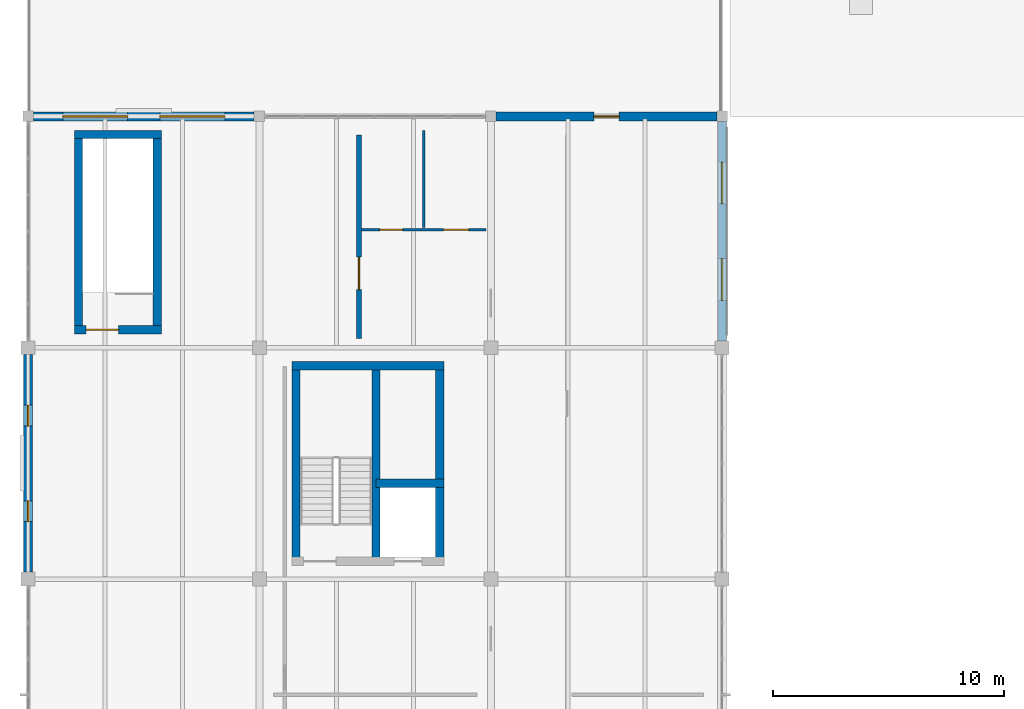
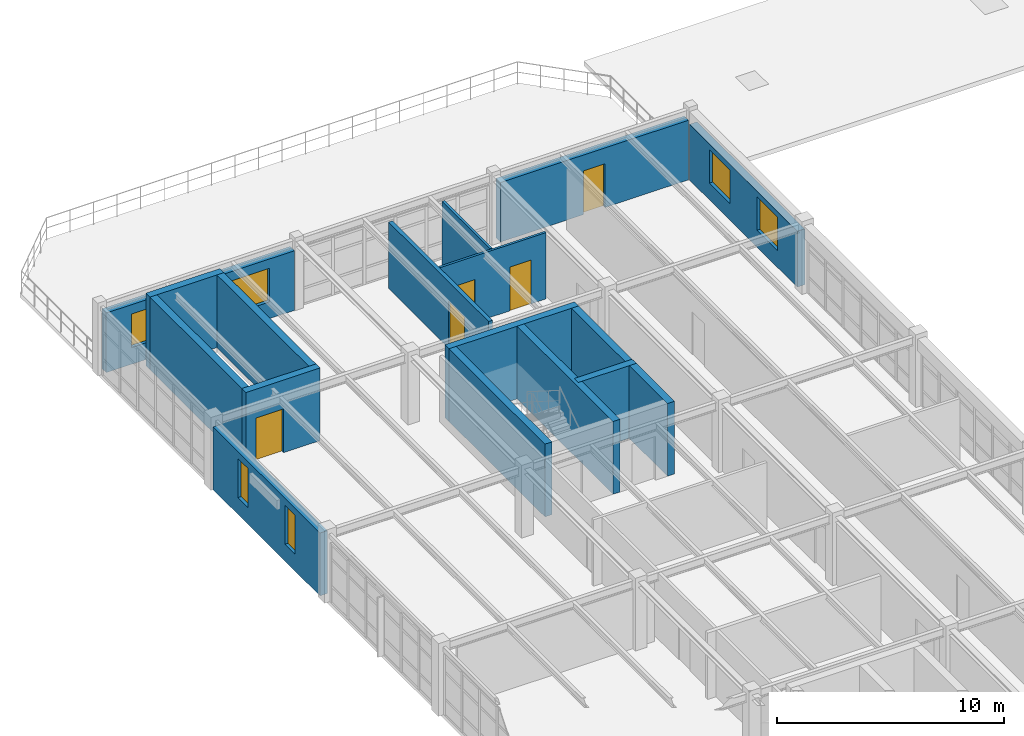
# One storey, part 20 of 23: 16 walls, 6 windows, 5 doors, 11 openings.
"""IFC4 building model written with IfcOpenShell, lengths in metres."""

from ifc_helpers import new_model, si_unit, direction, frame, frame_2d, origin, place, context, subcontext, project, spatial, rectangle, extrude, material, layer, layer_set, type_object, element, fill, save


model = new_model("IFC4")

# Units and contexts
model_context = context("Model", 3, precision=1e-05, world=origin(), true_north=direction((0.0, 1.0)))
body_context = subcontext(model_context, "Body", "Model", "MODEL_VIEW")
ifc_project = project(units=[si_unit("LENGTHUNIT", "METRE"), si_unit("AREAUNIT", "SQUARE_METRE"), si_unit("VOLUMEUNIT", "CUBIC_METRE"), si_unit("PLANEANGLEUNIT", "RADIAN"), si_unit("MASSUNIT", "GRAM", prefix="KILO"), si_unit("THERMODYNAMICTEMPERATUREUNIT", "KELVIN"), si_unit("POWERUNIT", "WATT")], contexts=[model_context])

# Site, building, storey
site_placement = place(None, origin())
site = spatial("IfcSite", under=ifc_project, at=site_placement, CompositionType="ELEMENT")
building_placement = place(site_placement, origin())
building = spatial("IfcBuilding", under=site, at=building_placement, Name="Korenveer Ferry Terminal", CompositionType="ELEMENT")
storey_placement = place(building_placement, frame((0.0, 0.0, 14.39990234375)))
storey = spatial("IfcBuildingStorey", under=building, at=storey_placement, Name="L03", CompositionType="ELEMENT", Elevation=14.39990234375)

# Wall, openings, windows
ifc_material_1 = material(Name="Insulated clinker brick masonry", Category="masonry")
ifc_layer_1 = layer(ifc_material_1, 0.3798828125)
ifc_layer_set_1 = layer_set([ifc_layer_1], Name="Insulated clinker brick masonry")
wall_type_1 = type_object("IfcWallType", Name="ENV-WL-BRK380", PredefinedType="SOLIDWALL", material=ifc_layer_set_1)
wall_1_placement = place(storey_placement, frame((0.22509765625, 70.0, 0.0), z_axis=(0.0, 0.0, 1.0), x_axis=(1.0, 0.0, 0.0)))
wall_1 = element("IfcWall", 1, at=wall_1_placement, inside=storey, type_object=wall_type_1, Name="Exterior facade wall EWL-L03-068", PredefinedType="SOLIDWALL", context=body_context, shape_type="SweptSolid", body=[
    extrude(rectangle(XDim=9.5498046875, YDim=0.3798828125, at=frame_2d((4.77490234375, 0.0))), origin(), (0.0, 0.0, 1.0), 3.2001953125),
])
opening_1_placement = place(wall_1_placement, frame((1.27392578125, 0.0, 0.89990234375)))
opening_1 = element("IfcOpeningElement", 2, at=opening_1_placement, cuts=wall_1, Name="Opening WN-35", PredefinedType="OPENING", context=body_context, shape_type="SweptSolid", body=[
    extrude(rectangle(XDim=2.800048828125, YDim=1.800048828125, at=frame_2d((1.39990234375, 0.89990234375))), frame((0.0, 0.199951171875, 0.0), z_axis=(0.0, -1.0, 0.0), x_axis=(1.0, 0.0, 0.0)), (0.0, 0.0, 1.0), 0.39990234375),
])
opening_2_placement = place(wall_1_placement, frame((5.47607421875, 0.0, 0.89990234375)))
opening_2 = element("IfcOpeningElement", 3, at=opening_2_placement, cuts=wall_1, Name="Opening WN-35", PredefinedType="OPENING", context=body_context, shape_type="SweptSolid", body=[
    extrude(rectangle(XDim=2.800048828125, YDim=1.800048828125, at=frame_2d((1.39990234375, 0.89990234375))), frame((0.0, 0.199951171875, 0.0), z_axis=(0.0, -1.0, 0.0), x_axis=(1.0, 0.0, 0.0)), (0.0, 0.0, 1.0), 0.39990234375),
])
ifc_material_2 = material(Name="Low-iron triple glazing in bronze frame", Category="glass")
window_type_1 = type_object("IfcWindowType", Name="ENV-WN-35", PartitioningType="SINGLE_PANEL", PredefinedType="WINDOW", material=ifc_material_2)
window_1_placement = place(opening_1_placement, origin())
window_1 = element("IfcWindow", 4, at=window_1_placement, inside=storey, type_object=window_type_1, Name="Lancet facade window 83", OverallHeight=1.800048828125, OverallWidth=2.800048828125, PartitioningType="SINGLE_PANEL", PredefinedType="WINDOW", context=body_context, shape_type="SweptSolid", body=[
    extrude(rectangle(XDim=2.800048828125, YDim=1.800048828125, at=frame_2d((1.39990234375, 0.89990234375))), frame((0.0, 0.030029296875, 0.0), z_axis=(0.0, -1.0, 0.0), x_axis=(1.0, 0.0, 0.0)), (0.0, 0.0, 1.0), 0.06005859375),
])
fill(opening_1, window_1)
window_2_placement = place(opening_2_placement, origin())
window_2 = element("IfcWindow", 5, at=window_2_placement, inside=storey, type_object=window_type_1, Name="Lancet facade window 84", OverallHeight=1.800048828125, OverallWidth=2.800048828125, PartitioningType="SINGLE_PANEL", PredefinedType="WINDOW", context=body_context, shape_type="SweptSolid", body=[
    extrude(rectangle(XDim=2.800048828125, YDim=1.800048828125, at=frame_2d((1.39990234375, 0.89990234375))), frame((0.0, 0.030029296875, 0.0), z_axis=(0.0, -1.0, 0.0), x_axis=(1.0, 0.0, 0.0)), (0.0, 0.0, 1.0), 0.06005859375),
])
fill(opening_2, window_2)

# Wall, opening, door
wall_2_placement = place(storey_placement, frame((20.22509765625, 70.0, 0.0), z_axis=(0.0, 0.0, 1.0), x_axis=(1.0, 0.0, 0.0)))
wall_2 = element("IfcWall", 6, at=wall_2_placement, inside=storey, type_object=wall_type_1, Name="Exterior facade wall EWL-L03-069", PredefinedType="SOLIDWALL", context=body_context, shape_type="SweptSolid", body=[
    extrude(rectangle(XDim=9.5498046875, YDim=0.3798828125, at=frame_2d((4.77490234375, 0.0))), origin(), (0.0, 0.0, 1.0), 3.2001953125),
])
opening_3_placement = place(wall_2_placement, frame((4.22509765625, 0.0, 0.0)))
opening_3 = element("IfcOpeningElement", 7, at=opening_3_placement, cuts=wall_2, Name="Opening TD-301", PredefinedType="OPENING", context=body_context, shape_type="SweptSolid", body=[
    extrude(rectangle(XDim=1.10009765625, YDim=2.35009765625, at=frame_2d((0.550048828125, 1.175048828125))), frame((0.0, 0.199951171875, 0.0), z_axis=(0.0, -1.0, 0.0), x_axis=(1.0, 0.0, 0.0)), (0.0, 0.0, 1.0), 0.39990234375),
])
ifc_material_3 = material(Name="Thermally broken bronze glazed door", Category="aluminium")
door_type_1 = type_object("IfcDoorType", Name="ENV-DR-TERR110", OperationType="NOTDEFINED", PredefinedType="DOOR", material=ifc_material_3)
door_1_placement = place(opening_3_placement, origin())
door_1 = element("IfcDoor", 8, at=door_1_placement, inside=storey, type_object=door_type_1, Name="Harbour Operations Viewing Deck Door TD-301", OperationType="SINGLE_SWING_LEFT", OverallHeight=2.35009765625, OverallWidth=1.10009765625, PredefinedType="DOOR", context=body_context, shape_type="SweptSolid", body=[
    extrude(rectangle(XDim=1.10009765625, YDim=2.35009765625, at=frame_2d((0.550048828125, 1.175048828125))), frame((0.0, 0.02490234375, 0.0), z_axis=(0.0, -1.0, 0.0), x_axis=(1.0, 0.0, 0.0)), (0.0, 0.0, 1.0), 0.050048828125),
])
fill(opening_3, door_1)

# Wall, openings, windows
wall_3_placement = place(storey_placement, frame((0.0, 50.300048828125, 0.0), z_axis=(0.0, 0.0, 1.0), x_axis=(0.0, 1.0, 0.0)))
wall_3 = element("IfcWall", 9, at=wall_3_placement, inside=storey, type_object=wall_type_1, Name="Exterior facade wall EWL-L03-071", PredefinedType="SOLIDWALL", context=body_context, shape_type="SweptSolid", body=[
    extrude(rectangle(XDim=9.39990234375, YDim=0.3798828125, at=frame_2d((4.699951171875, 0.0))), origin(), (0.0, 0.0, 1.0), 3.3701171875),
])
opening_4_placement = place(wall_3_placement, frame((2.181884765625, 0.0, 0.89990234375)))
opening_4 = element("IfcOpeningElement", 10, at=opening_4_placement, cuts=wall_3, Name="Opening WN-03", PredefinedType="OPENING", context=body_context, shape_type="SweptSolid", body=[
    extrude(rectangle(XDim=0.89990234375, YDim=2.10009765625, at=frame_2d((0.449951171875, 1.050048828125))), frame((0.0, 0.199951171875, 0.0), z_axis=(0.0, -1.0, 0.0), x_axis=(1.0, 0.0, 0.0)), (0.0, 0.0, 1.0), 0.39990234375),
])
opening_5_placement = place(wall_3_placement, frame((6.318115234375, 0.0, 0.89990234375)))
opening_5 = element("IfcOpeningElement", 11, at=opening_5_placement, cuts=wall_3, Name="Opening WN-03", PredefinedType="OPENING", context=body_context, shape_type="SweptSolid", body=[
    extrude(rectangle(XDim=0.89990234375, YDim=2.10009765625, at=frame_2d((0.449951171875, 1.050048828125))), frame((0.0, 0.199951171875, 0.0), z_axis=(0.0, -1.0, 0.0), x_axis=(1.0, 0.0, 0.0)), (0.0, 0.0, 1.0), 0.39990234375),
])
window_type_2 = type_object("IfcWindowType", Name="ENV-WN-03", PartitioningType="SINGLE_PANEL", PredefinedType="WINDOW", material=ifc_material_2)
window_3_placement = place(opening_4_placement, origin())
window_3 = element("IfcWindow", 12, at=window_3_placement, inside=storey, type_object=window_type_2, Name="Lancet facade window 87", OverallHeight=2.10009765625, OverallWidth=0.89990234375, PartitioningType="SINGLE_PANEL", PredefinedType="WINDOW", context=body_context, shape_type="SweptSolid", body=[
    extrude(rectangle(XDim=0.89990234375, YDim=2.10009765625, at=frame_2d((0.449951171875, 1.050048828125))), frame((0.0, 0.030029296875, 0.0), z_axis=(0.0, -1.0, 0.0), x_axis=(1.0, 0.0, 0.0)), (0.0, 0.0, 1.0), 0.06005859375),
])
fill(opening_4, window_3)
window_4_placement = place(opening_5_placement, origin())
window_4 = element("IfcWindow", 13, at=window_4_placement, inside=storey, type_object=window_type_2, Name="Lancet facade window 88", OverallHeight=2.10009765625, OverallWidth=0.89990234375, PartitioningType="SINGLE_PANEL", PredefinedType="WINDOW", context=body_context, shape_type="SweptSolid", body=[
    extrude(rectangle(XDim=0.89990234375, YDim=2.10009765625, at=frame_2d((0.449951171875, 1.050048828125))), frame((0.0, 0.030029296875, 0.0), z_axis=(0.0, -1.0, 0.0), x_axis=(1.0, 0.0, 0.0)), (0.0, 0.0, 1.0), 0.06005859375),
])
fill(opening_5, window_4)

wall_4_placement = place(storey_placement, frame((30.0, 69.77490234375, 0.0), z_axis=(0.0, 0.0, 1.0), x_axis=(0.0, -1.0, 0.0)))
wall_4 = element("IfcWall", 14, at=wall_4_placement, inside=storey, type_object=wall_type_1, Name="Exterior facade wall EWL-L03-073", PredefinedType="SOLIDWALL", context=body_context, shape_type="SweptSolid", body=[
    extrude(rectangle(XDim=9.474853515625, YDim=0.3798828125, at=frame_2d((4.7373046875, 0.0))), origin(), (0.0, 0.0, 1.0), 3.0),
])
opening_6_placement = place(wall_4_placement, frame((1.7529296875, 0.0, 0.89990234375)))
opening_6 = element("IfcOpeningElement", 15, at=opening_6_placement, cuts=wall_4, Name="Opening WN-18", PredefinedType="OPENING", context=body_context, shape_type="SweptSolid", body=[
    extrude(rectangle(XDim=1.800048828125, YDim=1.800048828125, at=frame_2d((0.89990234375, 0.89990234375))), frame((0.0, 0.199951171875, 0.0), z_axis=(0.0, -1.0, 0.0), x_axis=(1.0, 0.0, 0.0)), (0.0, 0.0, 1.0), 0.39990234375),
])
opening_7_placement = place(wall_4_placement, frame((5.922119140625, 0.0, 0.89990234375)))
opening_7 = element("IfcOpeningElement", 16, at=opening_7_placement, cuts=wall_4, Name="Opening WN-18", PredefinedType="OPENING", context=body_context, shape_type="SweptSolid", body=[
    extrude(rectangle(XDim=1.800048828125, YDim=1.800048828125, at=frame_2d((0.89990234375, 0.89990234375))), frame((0.0, 0.199951171875, 0.0), z_axis=(0.0, -1.0, 0.0), x_axis=(1.0, 0.0, 0.0)), (0.0, 0.0, 1.0), 0.39990234375),
])
window_type_3 = type_object("IfcWindowType", Name="ENV-WN-18", PartitioningType="SINGLE_PANEL", PredefinedType="WINDOW", material=ifc_material_2)
window_5_placement = place(opening_6_placement, origin())
window_5 = element("IfcWindow", 17, at=window_5_placement, inside=storey, type_object=window_type_3, Name="Lancet facade window 91", OverallHeight=1.800048828125, OverallWidth=1.800048828125, PartitioningType="SINGLE_PANEL", PredefinedType="WINDOW", context=body_context, shape_type="SweptSolid", body=[
    extrude(rectangle(XDim=1.800048828125, YDim=1.800048828125, at=frame_2d((0.89990234375, 0.89990234375))), frame((0.0, 0.030029296875, 0.0), z_axis=(0.0, -1.0, 0.0), x_axis=(1.0, 0.0, 0.0)), (0.0, 0.0, 1.0), 0.06005859375),
])
fill(opening_6, window_5)
window_6_placement = place(opening_7_placement, origin())
window_6 = element("IfcWindow", 18, at=window_6_placement, inside=storey, type_object=window_type_3, Name="Lancet facade window 92", OverallHeight=1.800048828125, OverallWidth=1.800048828125, PartitioningType="SINGLE_PANEL", PredefinedType="WINDOW", context=body_context, shape_type="SweptSolid", body=[
    extrude(rectangle(XDim=1.800048828125, YDim=1.800048828125, at=frame_2d((0.89990234375, 0.89990234375))), frame((0.0, 0.030029296875, 0.0), z_axis=(0.0, -1.0, 0.0), x_axis=(1.0, 0.0, 0.0)), (0.0, 0.0, 1.0), 0.06005859375),
])
fill(opening_7, window_6)

# Wall, opening, door
ifc_material_4 = material(Name="Acoustic fire-rated twin-stud partition", Category="other")
ifc_layer_2 = layer(ifc_material_4, 0.199951171875)
ifc_layer_set_2 = layer_set([ifc_layer_2], Name="Acoustic fire-rated twin-stud partition")
wall_type_2 = type_object("IfcWallType", Name="INT-WL-COMP200", PredefinedType="PARTITIONING", material=ifc_layer_set_2)
wall_5_placement = place(storey_placement, frame((14.300048828125, 60.39990234375, 0.0), z_axis=(0.0, 0.0, 1.0), x_axis=(0.0, 1.0, 0.0)))
wall_5 = element("IfcWall", 19, at=wall_5_placement, inside=storey, type_object=wall_type_2, Name="Interior partition PWL-L03-056", PredefinedType="PARTITIONING", context=body_context, shape_type="SweptSolid", body=[
    extrude(rectangle(XDim=8.800048828125, YDim=0.199951171875, at=frame_2d((4.39990234375, 0.0))), origin(), (0.0, 0.0, 1.0), 3.56005859375),
])
opening_8_placement = place(wall_5_placement, frame((2.115966796875, 0.0, 0.0)))
opening_8 = element("IfcOpeningElement", 20, at=opening_8_placement, cuts=wall_5, Name="Opening ID-069", PredefinedType="OPENING", context=body_context, shape_type="SweptSolid", body=[
    extrude(rectangle(XDim=1.39990234375, YDim=2.5, at=frame_2d((0.699951171875, 1.25))), frame((0.0, 0.10986328125, 0.0), z_axis=(0.0, -1.0, 0.0), x_axis=(1.0, 0.0, 0.0)), (0.0, 0.0, 1.0), 0.219970703125),
])
ifc_material_5 = material(Name="Solid hardwood and steel acoustic door", Category="steel")
door_type_2 = type_object("IfcDoorType", Name="INT-DR-PLT140", OperationType="DOUBLE_DOOR_SINGLE_SWING", PredefinedType="DOOR", material=ifc_material_5)
door_2_placement = place(opening_8_placement, origin())
door_2 = element("IfcDoor", 21, at=door_2_placement, inside=storey, type_object=door_type_2, Name="Marine Communications Plant Door", OperationType="DOUBLE_DOOR_SINGLE_SWING", OverallHeight=2.5, OverallWidth=1.39990234375, PredefinedType="DOOR", context=body_context, shape_type="SweptSolid", body=[
    extrude(rectangle(XDim=1.39990234375, YDim=2.5, at=frame_2d((0.699951171875, 1.25))), frame((0.0, 0.02490234375, 0.0), z_axis=(0.0, -1.0, 0.0), x_axis=(1.0, 0.0, 0.0)), (0.0, 0.0, 1.0), 0.050048828125),
])
fill(opening_8, door_2)

# Walls
ifc_material_6 = material(Name="Concrete C45/55", Category="concrete")
ifc_layer_3 = layer(ifc_material_6, 0.360107421875)
ifc_layer_set_3 = layer_set([ifc_layer_3], Name="Concrete C45/55")
wall_type_3 = type_object("IfcWallType", Name="INT-WL-CORE360", PredefinedType="SHEAR", material=ifc_layer_set_3)
wall_6_placement = place(storey_placement, frame((11.39990234375, 59.219970703125, 0.0), z_axis=(0.0, 0.0, 1.0), x_axis=(1.0, 0.0, 0.0)))
element("IfcWall", 22, at=wall_6_placement, inside=storey, type_object=wall_type_3, Name="West Operations Core K2 north shear wall L03", PredefinedType="SHEAR", context=body_context, shape_type="SweptSolid", body=[
    extrude(rectangle(XDim=6.580078125, YDim=0.360107421875, at=frame_2d((3.2900390625, 0.0))), origin(), (0.0, 0.0, 1.0), 3.900146484375),
])
for number, where, z_axis, x_axis, name in (
    (23, (11.580078125, 50.60009765625, 0.0), (0.0, 0.0, 1.0), (0.0, 1.0, 0.0), "West Operations Core K2 west shear wall L03"),
    (24, (17.800048828125, 50.60009765625, 0.0), (0.0, 0.0, 1.0), (0.0, 1.0, 0.0), "West Operations Core K2 east shear wall L03"),
    (25, (15.0400390625, 50.60009765625, 0.0), (0.0, 0.0, 1.0), (0.0, 1.0, 0.0), "West Operations Core K2 shaft divider wall L03"),
):
    element("IfcWall", number, at=place(storey_placement, frame(where, z_axis=z_axis, x_axis=x_axis)), inside=storey, type_object=wall_type_3, Name=name, PredefinedType="SHEAR", context=body_context, shape_type="SweptSolid", body=[
        extrude(rectangle(XDim=8.7998046875, YDim=0.360107421875, at=frame_2d((4.39990234375, 0.0))), origin(), (0.0, 0.0, 1.0), 3.900146484375),
    ])
wall_7_placement = place(storey_placement, frame((15.0400390625, 54.139892578125, 0.0), z_axis=(0.0, 0.0, 1.0), x_axis=(1.0, 0.0, 0.0)))
element("IfcWall", 26, at=wall_7_placement, inside=storey, type_object=wall_type_3, Name="West Operations Core K2 lift shaft wall L03", PredefinedType="SHEAR", context=body_context, shape_type="SweptSolid", body=[
    extrude(rectangle(XDim=2.93994140625, YDim=0.360107421875, at=frame_2d((1.469970703125, 0.0))), origin(), (0.0, 0.0, 1.0), 3.900146484375),
])

# Wall, opening, door
wall_8_placement = place(storey_placement, frame((2.0, 60.780029296875, 0.0), z_axis=(0.0, 0.0, 1.0), x_axis=(1.0, 0.0, 0.0)))
wall_8 = element("IfcWall", 27, at=wall_8_placement, inside=storey, type_object=wall_type_3, Name="Harbourmaster North Stair Core K11 south shear wall L03", PredefinedType="SHEAR", context=body_context, shape_type="SweptSolid", body=[
    extrude(rectangle(XDim=3.760009765625, YDim=0.360107421875, at=frame_2d((1.8798828125, 0.0))), origin(), (0.0, 0.0, 1.0), 3.900146484375),
])
opening_9_placement = place(wall_8_placement, frame((0.510009765625, 0.0, 0.0)))
opening_9 = element("IfcOpeningElement", 28, at=opening_9_placement, cuts=wall_8, Name="Opening SD-38", PredefinedType="OPENING", context=body_context, shape_type="SweptSolid", body=[
    extrude(rectangle(XDim=1.39990234375, YDim=2.35009765625, at=frame_2d((0.699951171875, 1.175048828125))), frame((0.0, 0.18994140625, 0.0), z_axis=(0.0, -1.0, 0.0), x_axis=(1.0, 0.0, 0.0)), (0.0, 0.0, 1.0), 0.380126953125),
])
door_type_3 = type_object("IfcDoorType", Name="INT-DR-ST140", OperationType="NOTDEFINED", PredefinedType="DOOR", material=ifc_material_5)
door_3_placement = place(opening_9_placement, origin())
door_3 = element("IfcDoor", 29, at=door_3_placement, inside=storey, type_object=door_type_3, Name="ST11 Stair Door L03", OperationType="SINGLE_SWING_RIGHT", OverallHeight=2.35009765625, OverallWidth=1.39990234375, PredefinedType="DOOR", context=body_context, shape_type="SweptSolid", body=[
    extrude(rectangle(XDim=1.39990234375, YDim=2.35009765625, at=frame_2d((0.699951171875, 1.175048828125))), frame((0.0, 0.02490234375, 0.0), z_axis=(0.0, -1.0, 0.0), x_axis=(1.0, 0.0, 0.0)), (0.0, 0.0, 1.0), 0.050048828125),
])
fill(opening_9, door_3)

# Walls
wall_9_placement = place(storey_placement, frame((2.0, 69.219970703125, 0.0), z_axis=(0.0, 0.0, 1.0), x_axis=(1.0, 0.0, 0.0)))
element("IfcWall", 30, at=wall_9_placement, inside=storey, type_object=wall_type_3, Name="Harbourmaster North Stair Core K11 north shear wall L03", PredefinedType="SHEAR", context=body_context, shape_type="SweptSolid", body=[
    extrude(rectangle(XDim=3.760009765625, YDim=0.360107421875, at=frame_2d((1.8798828125, 0.0))), origin(), (0.0, 0.0, 1.0), 3.900146484375),
])
for number, where, z_axis, x_axis, name in (
    (31, (2.179931640625, 60.60009765625, 0.0), (0.0, 0.0, 1.0), (0.0, 1.0, 0.0), "Harbourmaster North Stair Core K11 west shear wall L03"),
    (32, (5.580078125, 60.60009765625, 0.0), (0.0, 0.0, 1.0), (0.0, 1.0, 0.0), "Harbourmaster North Stair Core K11 east shear wall L03"),
):
    element("IfcWall", number, at=place(storey_placement, frame(where, z_axis=z_axis, x_axis=x_axis)), inside=storey, type_object=wall_type_3, Name=name, PredefinedType="SHEAR", context=body_context, shape_type="SweptSolid", body=[
        extrude(rectangle(XDim=8.7998046875, YDim=0.360107421875, at=frame_2d((4.39990234375, 0.0))), origin(), (0.0, 0.0, 1.0), 3.900146484375),
    ])

# Wall, openings, doors
ifc_material_7 = material(Name="Lightweight wet-room stud partition", Category="other")
ifc_layer_4 = layer(ifc_material_7, 0.1201171875)
ifc_layer_set_4 = layer_set([ifc_layer_4], Name="Lightweight wet-room stud partition")
wall_type_4 = type_object("IfcWallType", Name="INT-WL-PART120", PredefinedType="PARTITIONING", material=ifc_layer_set_4)
wall_10_placement = place(storey_placement, frame((14.39990234375, 65.10009765625, 0.0), z_axis=(0.0, 0.0, 1.0), x_axis=(1.0, 0.0, 0.0)))
wall_10 = element("IfcWall", 33, at=wall_10_placement, inside=storey, type_object=wall_type_4, Name="Interior partition PWL-L03-057", PredefinedType="PARTITIONING", context=body_context, shape_type="SweptSolid", body=[
    extrude(rectangle(XDim=5.400146484375, YDim=0.1201171875, at=frame_2d((2.7001953125, 0.0))), origin(), (0.0, 0.0, 1.0), 3.56005859375),
])
opening_10_placement = place(wall_10_placement, frame((0.805908203125, 0.0, 0.0)))
opening_10 = element("IfcOpeningElement", 34, at=opening_10_placement, cuts=wall_10, Name="Opening ID-070", PredefinedType="OPENING", context=body_context, shape_type="SweptSolid", body=[
    extrude(rectangle(XDim=0.97998046875, YDim=2.300048828125, at=frame_2d((0.489990234375, 1.14990234375))), frame((0.0, 0.070068359375, 0.0), z_axis=(0.0, -1.0, 0.0), x_axis=(1.0, 0.0, 0.0)), (0.0, 0.0, 1.0), 0.14013671875),
])
opening_11_placement = place(wall_10_placement, frame((3.56396484375, 0.0, 0.0)))
opening_11 = element("IfcOpeningElement", 35, at=opening_11_placement, cuts=wall_10, Name="Opening ID-071", PredefinedType="OPENING", context=body_context, shape_type="SweptSolid", body=[
    extrude(rectangle(XDim=1.080078125, YDim=2.35009765625, at=frame_2d((0.5400390625, 1.175048828125))), frame((0.0, 0.070068359375, 0.0), z_axis=(0.0, -1.0, 0.0), x_axis=(1.0, 0.0, 0.0)), (0.0, 0.0, 1.0), 0.14013671875),
])
door_type_4 = type_object("IfcDoorType", Name="INT-DR-AWC108", OperationType="NOTDEFINED", PredefinedType="DOOR", material=ifc_material_5)
door_4_placement = place(opening_11_placement, origin())
door_4 = element("IfcDoor", 36, at=door_4_placement, inside=storey, type_object=door_type_4, Name="L03 Accessible WC Door", OperationType="SINGLE_SWING_RIGHT", OverallHeight=2.35009765625, OverallWidth=1.080078125, PredefinedType="DOOR", context=body_context, shape_type="SweptSolid", body=[
    extrude(rectangle(XDim=1.080078125, YDim=2.35009765625, at=frame_2d((0.5400390625, 1.175048828125))), frame((0.0, 0.02490234375, 0.0), z_axis=(0.0, -1.0, 0.0), x_axis=(1.0, 0.0, 0.0)), (0.0, 0.0, 1.0), 0.050048828125),
])
fill(opening_11, door_4)
door_type_5 = type_object("IfcDoorType", Name="INT-DR-WC098", OperationType="NOTDEFINED", PredefinedType="DOOR", material=ifc_material_5)
door_5_placement = place(opening_10_placement, origin())
door_5 = element("IfcDoor", 37, at=door_5_placement, inside=storey, type_object=door_type_5, Name="L03 Staff WC Door", OperationType="SINGLE_SWING_LEFT", OverallHeight=2.300048828125, OverallWidth=0.97998046875, PredefinedType="DOOR", context=body_context, shape_type="SweptSolid", body=[
    extrude(rectangle(XDim=0.97998046875, YDim=2.300048828125, at=frame_2d((0.489990234375, 1.14990234375))), frame((0.0, 0.02490234375, 0.0), z_axis=(0.0, -1.0, 0.0), x_axis=(1.0, 0.0, 0.0)), (0.0, 0.0, 1.0), 0.050048828125),
])
fill(opening_10, door_5)

# Wall
wall_11_placement = place(storey_placement, frame((17.10009765625, 65.199951171875, 0.0), z_axis=(0.0, 0.0, 1.0), x_axis=(0.0, 1.0, 0.0)))
element("IfcWall", 38, at=wall_11_placement, inside=storey, type_object=wall_type_4, Name="Interior partition PWL-L03-058", PredefinedType="PARTITIONING", context=body_context, shape_type="SweptSolid", body=[
    extrude(rectangle(XDim=4.199951171875, YDim=0.1201171875, at=frame_2d((2.10009765625, 0.0))), origin(), (0.0, 0.0, 1.0), 3.56005859375),
])

save(model, "model.ifc")
